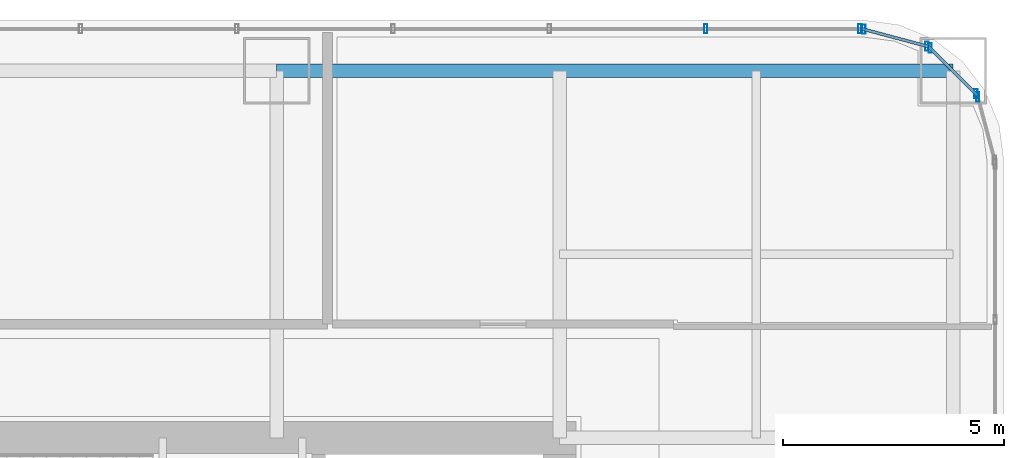
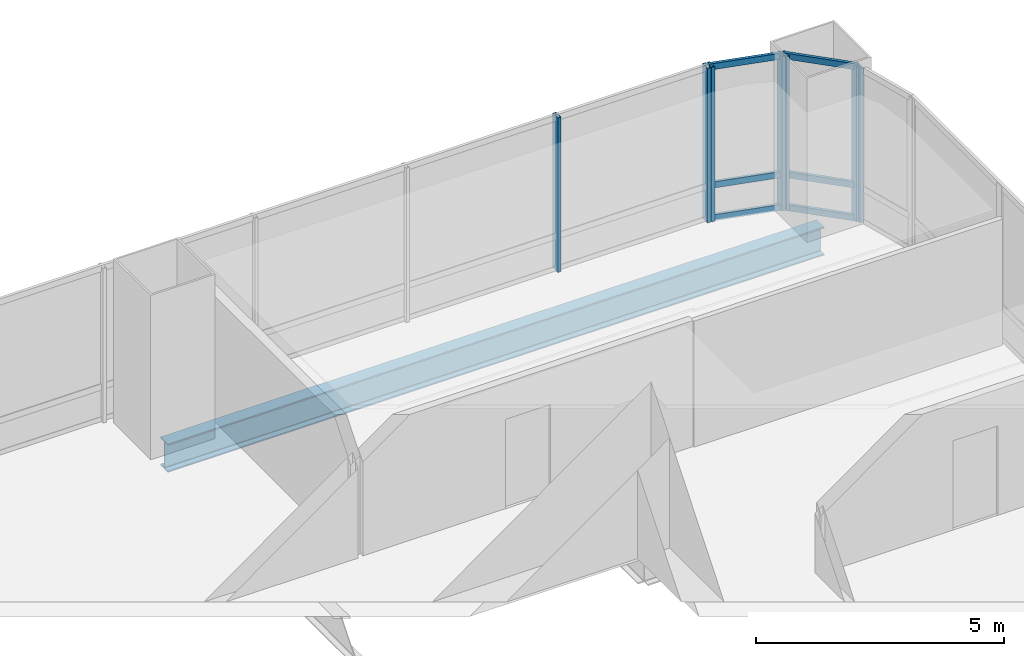
# One storey, part 25 of 35: 13 members, 1 beam, 4 elements without a shape of their own.
"""IFC4 building model written with IfcOpenShell, lengths in metres."""

import ifcopenshell
import ifcopenshell.guid

model = None  # the IFC model being written
_history = None  # IfcOwnerHistory: only IFC2X3 demands one
_inside = {}  # id of a spatial element -> (the spatial element, [elements in it])
_under = {}  # id of a project, library or spatial element -> (it, [spatial elements below it])
_declared = {}  # id of a project -> (the project, [libraries it declares])
_typed = {}  # id of a type object -> (the type object, [elements of that type])
_made_of = {}  # id of a material, layer set ... -> (it, [elements and type objects made of it])


def new_model(schema):
    """Start an empty IFC model of exactly this schema.

    Asked for "IFC4X3", IfcOpenShell would pick the latest addendum, in which some entities
    have other attributes; the version numbers below select the first issue.
    IFC2X3 requires an IfcOwnerHistory on every rooted entity: one is made here for all.
    """
    global model, _history
    if schema == "IFC4X3":
        model = ifcopenshell.file(schema_version=(4, 3, 0, 0))
    else:
        model = ifcopenshell.file(schema=schema)
    _inside.clear()
    _under.clear()
    _declared.clear()
    _typed.clear()
    _made_of.clear()
    _history = None
    if model.schema == "IFC2X3":
        org = make("IfcOrganization", Name="unknown")
        user = make(
            "IfcPersonAndOrganization",
            ThePerson=make("IfcPerson", FamilyName="unknown"),
            TheOrganization=org,
        )
        app = make(
            "IfcApplication",
            ApplicationDeveloper=org,
            Version="unknown",
            ApplicationFullName="unknown",
            ApplicationIdentifier="unknown",
        )
        _history = make(
            "IfcOwnerHistory",
            OwningUser=user,
            OwningApplication=app,
            ChangeAction="ADDED",
            CreationDate=0,
        )
    return model


def make(cls, **values):
    """One entity of the class cls with the attributes given. An attribute that is None is left unset."""
    return model.create_entity(
        cls, **{name: value for name, value in values.items() if value is not None}
    )


def rooted(cls, **values):
    """An entity with a GlobalId (a new one), such as an element, a storey or a relation."""
    return make(cls, GlobalId=ifcopenshell.guid.new(), OwnerHistory=_history, **values)


def si_unit(unit_type, name, prefix=None):
    """IfcSIUnit, for example si_unit("LENGTHUNIT", "METRE", prefix="MILLI")."""
    return make("IfcSIUnit", UnitType=unit_type, Prefix=prefix, Name=name)


def assignment(units):
    """IfcUnitAssignment: the units of a project."""
    return None if units is None else make("IfcUnitAssignment", Units=units)


def point(xyz):
    """IfcCartesianPoint."""
    return None if xyz is None else make("IfcCartesianPoint", Coordinates=xyz)


def direction(xyz):
    """IfcDirection."""
    return None if xyz is None else make("IfcDirection", DirectionRatios=xyz)


def frame(location, z_axis=None, x_axis=None):
    """IfcAxis2Placement3D, a coordinate frame: its origin and axes. An axis left out is left unset."""
    return make(
        "IfcAxis2Placement3D",
        Location=point(location),
        Axis=direction(z_axis),
        RefDirection=direction(x_axis),
    )


def frame_2d(location, x_axis=None):
    """IfcAxis2Placement2D, a coordinate frame in the plane: its origin and x axis."""
    return make(
        "IfcAxis2Placement2D", Location=point(location), RefDirection=direction(x_axis)
    )


def origin():
    """The frame at (0, 0, 0) with its axes left unset."""
    return frame((0.0, 0.0, 0.0))


def origin_2d():
    """The frame at (0, 0) in the plane with its x axis left unset."""
    return frame_2d((0.0, 0.0))


def place(relative_to, where):
    """IfcLocalPlacement: puts the frame where relative to a parent placement (None: the world)."""
    return make(
        "IfcLocalPlacement", PlacementRelTo=relative_to, RelativePlacement=where
    )


def context(
    kind, dimensions, precision=None, world=None, true_north=None, identifier=None
):
    """IfcGeometricRepresentationContext, for example the 3D "Model" context."""
    return make(
        "IfcGeometricRepresentationContext",
        ContextIdentifier=identifier,
        ContextType=kind,
        CoordinateSpaceDimension=dimensions,
        Precision=precision,
        WorldCoordinateSystem=world,
        TrueNorth=true_north,
    )


def subcontext(parent, identifier, kind, view, scale=None):
    """IfcGeometricRepresentationSubContext, for example "Body" below "Model"."""
    return make(
        "IfcGeometricRepresentationSubContext",
        ContextIdentifier=identifier,
        ContextType=kind,
        ParentContext=parent,
        TargetScale=scale,
        TargetView=view,
    )


def project(units=None, contexts=None):
    """IfcProject with its units and contexts."""
    return rooted(
        "IfcProject",
        Name="project",
        RepresentationContexts=contexts,
        UnitsInContext=assignment(units),
    )


def spatial(cls, under=None, at=None, **own):
    """A site, building, storey or space (cls), placed at a placement, below another one or the project."""
    s = rooted(cls, ObjectPlacement=at, **own)
    if under is not None:
        _under.setdefault(under.id(), (under, []))[1].append(s)
    return s


def profile(cls, at=None, kind="AREA", **sizes):
    """A parametric profile (cls). Its sizes go by their IFC names, for example OverallWidth=200.0."""
    return make(cls, ProfileType=kind, Position=at, **sizes)


def hollow_rectangle(**sizes):
    """IfcRectangleHollowProfileDef."""
    return profile("IfcRectangleHollowProfileDef", **sizes)


def i_section(**sizes):
    """IfcIShapeProfileDef."""
    return profile("IfcIShapeProfileDef", **sizes)


def extrude(swept, where, along, depth):
    """IfcExtrudedAreaSolid: the profile swept, set in the frame where, extruded along a direction by depth."""
    return make(
        "IfcExtrudedAreaSolid",
        SweptArea=swept,
        Position=where,
        ExtrudedDirection=direction(along),
        Depth=depth,
    )


def shape(context_of_items, identifier, shape_type, items):
    """IfcShapeRepresentation: the items that make up one representation, for example the "Body"."""
    return make(
        "IfcShapeRepresentation",
        ContextOfItems=context_of_items,
        RepresentationIdentifier=identifier,
        RepresentationType=shape_type,
        Items=items,
    )


def material(Name=None, Category=None):
    """IfcMaterial."""
    return make("IfcMaterial", Name=Name, Category=Category)


def material_profile(
    of_material, cross_section, Name=None, Category=None, Priority=None
):
    """IfcMaterialProfile: a cross section and its material."""
    return make(
        "IfcMaterialProfile",
        Name=Name,
        Material=of_material,
        Profile=cross_section,
        Priority=Priority,
        Category=Category,
    )


def profile_set(profiles, Name=None, composite=None):
    """IfcMaterialProfileSet."""
    return make(
        "IfcMaterialProfileSet",
        Name=Name,
        MaterialProfiles=profiles,
        CompositeProfile=composite,
    )


def made_of(thing, what):
    """Note that an element or type object is made of a material, layer set ...; save() writes the relation."""
    if what is not None:
        _made_of.setdefault(what.id(), (what, []))[1].append(thing)
    return thing


def type_object(cls, material=None, **own):
    """A type object (cls), such as IfcWallType, which elements share."""
    return made_of(rooted(cls, **own), material)


def element(
    cls,
    number,
    at=None,
    inside=None,
    cuts=None,
    type_object=None,
    material=None,
    context=None,
    identifier="Body",
    shape_type=None,
    held_by="IfcProductDefinitionShape",
    body=None,
    shapes=None,
    **own,
):
    """One element of the class cls, such as IfcWall. Its Tag is "e" and its number.

    at: its placement. inside: the storey or other place that contains it. cuts: it is an
    opening in that element (IfcRelVoidsElement). A single representation is given by context,
    identifier, shape_type and body (its items); several are given by shapes. held_by: the class
    of the entity that holds the representations. save() writes the other relations.
    """
    e = rooted(cls, Tag="e%d" % number, ObjectPlacement=at, **own)
    if body is not None:
        shapes = [shape(context, identifier, shape_type, body)]
    if shapes is not None:
        e.Representation = make(held_by, Representations=shapes)
    if inside is not None:
        _inside.setdefault(inside.id(), (inside, []))[1].append(e)
    if cuts is not None:
        rooted(
            "IfcRelVoidsElement", RelatingBuildingElement=cuts, RelatedOpeningElement=e
        )
    if type_object is not None:
        _typed.setdefault(type_object.id(), (type_object, []))[1].append(e)
    return made_of(e, material)


def aggregate(whole, parts):
    """IfcRelAggregates: a whole, such as a stair, and the parts it consists of."""
    return rooted("IfcRelAggregates", RelatingObject=whole, RelatedObjects=parts)


def save(model, path):
    """Write the relations noted so far, then the file.

    IfcRelAggregates (storeys below a building ...), IfcRelContainedInSpatialStructure (elements
    in a storey), IfcRelDefinesByType, IfcRelAssociatesMaterial and IfcRelDeclares: one each for
    every whole, place, type object, material and project.
    """
    for whole, parts in _under.values():
        aggregate(whole, parts)
    for where, things in _inside.values():
        rooted(
            "IfcRelContainedInSpatialStructure",
            RelatedElements=things,
            RelatingStructure=where,
        )
    for kind, things in _typed.values():
        rooted("IfcRelDefinesByType", RelatedObjects=things, RelatingType=kind)
    for what, things in _made_of.values():
        rooted("IfcRelAssociatesMaterial", RelatedObjects=things, RelatingMaterial=what)
    for by, libraries in _declared.values():
        rooted("IfcRelDeclares", RelatingContext=by, RelatedDefinitions=libraries)
    model.write(path)


model = new_model("IFC4")

# Units and contexts
model_context = context("Model", 3, precision=1e-05, world=origin(), true_north=direction((0.0, 1.0)))
body_context = subcontext(model_context, "Body", "Model", "MODEL_VIEW")
ifc_project = project(units=[si_unit("LENGTHUNIT", "METRE"), si_unit("AREAUNIT", "SQUARE_METRE"), si_unit("VOLUMEUNIT", "CUBIC_METRE"), si_unit("PLANEANGLEUNIT", "RADIAN"), si_unit("MASSUNIT", "GRAM", prefix="KILO")], contexts=[model_context])

# Site, building, storey
site_placement = place(None, origin())
site = spatial("IfcSite", under=ifc_project, at=site_placement, CompositionType="ELEMENT")
building_placement = place(site_placement, origin())
building = spatial("IfcBuilding", under=site, at=building_placement, Name="Punatoya Terracotta Tower", CompositionType="ELEMENT")
storey_placement = place(building_placement, frame((0.0, 0.0, 52.5)))
storey = spatial("IfcBuildingStorey", under=building, at=storey_placement, Name="L11", CompositionType="ELEMENT", Elevation=52.5)

# Beam
ifc_material_1 = material(Name="Steel S355", Category="steel")
ifc_material_profile_1 = material_profile(ifc_material_1, i_section(OverallWidth=0.300048828125, OverallDepth=0.699951171875, WebThickness=0.01708984375, FlangeThickness=0.031982421875, FilletRadius=0.01806640625, at=origin_2d()))
ifc_profile_set_1 = profile_set([ifc_material_profile_1], Name="Steel S355")
beam_type = type_object("IfcBeamType", Name="BM-PRI-700", PredefinedType="BEAM", material=ifc_profile_set_1)
beam_placement = place(storey_placement, frame((3.800048828125, 17.5, -0.590087890625), z_axis=(1.0, 0.0, 0.0), x_axis=(0.0, 1.0, 0.0)))
element("IfcBeam", 1, at=beam_placement, inside=storey, type_object=beam_type, Name="BM-L11-RG-N3", PredefinedType="BEAM", context=body_context, shape_type="SweptSolid", body=[
    extrude(i_section(OverallWidth=0.300048828125, OverallDepth=0.699951171875, WebThickness=0.01708984375, FlangeThickness=0.031982421875, FilletRadius=0.01806640625, at=origin_2d()), origin(), (0.0, 0.0, 1.0), 15.300048828125),
])

# Curtain wall, member
ifc_material_2 = material(Name="Aluminium 6063-T6 + Double Low-E Glass", Category="aluminium")
curtain_wall_type = type_object("IfcCurtainWallType", Name="CW-M1", PredefinedType="NOTDEFINED", material=ifc_material_2)
curtain_wall_1_placement = place(storey_placement, origin())
curtain_wall_1 = element("IfcCurtainWall", 2, at=curtain_wall_1_placement, inside=storey, type_object=curtain_wall_type, Name="L11 Curtain Wall CW-L11-CRN06", PredefinedType="NOTDEFINED")
ifc_material_3 = material(Name="Aluminium 6063-T6", Category="aluminium")
ifc_material_profile_2 = material_profile(ifc_material_3, hollow_rectangle(XDim=0.074951171875, YDim=0.2099609375, WallThickness=0.00439453125, at=origin_2d()))
ifc_profile_set_2 = profile_set([ifc_material_profile_2], Name="Aluminium 6063-T6")
member_type_1 = type_object("IfcMemberType", Name="CW-MUL-M1", PredefinedType="MULLION", material=ifc_profile_set_2)
member_1_placement = place(storey_placement, frame((19.658203125, 16.905517578125, 0.0), z_axis=(0.0, 0.0, 1.0), x_axis=(1.0, 0.0, 0.0)))
member_1 = element("IfcMember", 3, at=member_1_placement, type_object=member_type_1, Name="CW-L11-CRN06 Mullion 01", PredefinedType="MULLION", context=body_context, shape_type="SweptSolid", body=[
    extrude(hollow_rectangle(XDim=0.074951171875, YDim=0.2099609375, WallThickness=0.00439453125, at=origin_2d()), origin(), (0.0, 0.0, 1.0), 3.81005859375),
])
aggregate(curtain_wall_1, [member_1])

# Curtain wall, members
curtain_wall_2_placement = place(storey_placement, origin())
curtain_wall_2 = element("IfcCurtainWall", 4, at=curtain_wall_2_placement, inside=storey, type_object=curtain_wall_type, Name="L11 Curtain Wall CW-L11-CRN07", PredefinedType="NOTDEFINED")
member_2_placement = place(storey_placement, frame((19.61474609375, 16.98095703125, 0.0), z_axis=(0.0, 0.0, 1.0), x_axis=(1.0, 0.0, 0.0)))
member_2 = element("IfcMember", 5, at=member_2_placement, type_object=member_type_1, Name="CW-L11-CRN07 Mullion 00", PredefinedType="MULLION", context=body_context, shape_type="SweptSolid", body=[
    extrude(hollow_rectangle(XDim=0.074951171875, YDim=0.2099609375, WallThickness=0.00439453125, at=origin_2d()), origin(), (0.0, 0.0, 1.0), 3.81005859375),
])
member_3_placement = place(storey_placement, frame((18.580810546875, 18.014892578125, 0.0), z_axis=(0.0, 0.0, 1.0), x_axis=(1.0, 0.0, 0.0)))
member_3 = element("IfcMember", 6, at=member_3_placement, type_object=member_type_1, Name="CW-L11-CRN07 Mullion 01", PredefinedType="MULLION", context=body_context, shape_type="SweptSolid", body=[
    extrude(hollow_rectangle(XDim=0.074951171875, YDim=0.2099609375, WallThickness=0.00439453125, at=origin_2d()), origin(), (0.0, 0.0, 1.0), 3.81005859375),
])

curtain_wall_3_placement = place(storey_placement, origin())
curtain_wall_3 = element("IfcCurtainWall", 7, at=curtain_wall_3_placement, inside=storey, type_object=curtain_wall_type, Name="L11 Curtain Wall CW-L11-CRN08", PredefinedType="NOTDEFINED")
member_4_placement = place(storey_placement, frame((18.505615234375, 18.05810546875, 0.0), z_axis=(0.0, 0.0, 1.0), x_axis=(1.0, 0.0, 0.0)))
member_4 = element("IfcMember", 8, at=member_4_placement, type_object=member_type_1, Name="CW-L11-CRN08 Mullion 00", PredefinedType="MULLION", context=body_context, shape_type="SweptSolid", body=[
    extrude(hollow_rectangle(XDim=0.074951171875, YDim=0.2099609375, WallThickness=0.00439453125, at=origin_2d()), origin(), (0.0, 0.0, 1.0), 3.81005859375),
])
member_5_placement = place(storey_placement, frame((17.080322265625, 18.4384765625, 0.0), z_axis=(0.0, 0.0, 1.0), x_axis=(1.0, 0.0, 0.0)))
member_5 = element("IfcMember", 9, at=member_5_placement, type_object=member_type_1, Name="CW-L11-CRN08 Mullion 01", PredefinedType="MULLION", context=body_context, shape_type="SweptSolid", body=[
    extrude(hollow_rectangle(XDim=0.074951171875, YDim=0.2099609375, WallThickness=0.00439453125, at=origin_2d()), origin(), (0.0, 0.0, 1.0), 3.81005859375),
])

curtain_wall_4_placement = place(storey_placement, origin())
curtain_wall_4 = element("IfcCurtainWall", 10, at=curtain_wall_4_placement, inside=storey, type_object=curtain_wall_type, Name="L11 Curtain Wall CW-L11-N09-1", PredefinedType="NOTDEFINED")
member_6_placement = place(storey_placement, frame((16.991943359375, 18.449951171875, 0.0), z_axis=(0.0, 0.0, 1.0), x_axis=(1.0, 0.0, 0.0)))
member_6 = element("IfcMember", 11, at=member_6_placement, type_object=member_type_1, Name="CW-L11-N09-1 Mullion 00", PredefinedType="MULLION", context=body_context, shape_type="SweptSolid", body=[
    extrude(hollow_rectangle(XDim=0.074951171875, YDim=0.2099609375, WallThickness=0.00439453125, at=origin_2d()), origin(), (0.0, 0.0, 1.0), 3.81005859375),
])
member_7_placement = place(storey_placement, frame((13.5029296875, 18.449951171875, 0.0), z_axis=(0.0, 0.0, 1.0), x_axis=(1.0, 0.0, 0.0)))
member_7 = element("IfcMember", 12, at=member_7_placement, type_object=member_type_1, Name="CW-L11-N09-1 Mullion 01", PredefinedType="MULLION", context=body_context, shape_type="SweptSolid", body=[
    extrude(hollow_rectangle(XDim=0.074951171875, YDim=0.2099609375, WallThickness=0.00439453125, at=origin_2d()), origin(), (0.0, 0.0, 1.0), 3.81005859375),
])
aggregate(curtain_wall_4, [member_6, member_7])

# Member
ifc_material_profile_3 = material_profile(ifc_material_3, hollow_rectangle(XDim=0.068115234375, YDim=0.14990234375, WallThickness=0.00390625, at=origin_2d()))
ifc_profile_set_3 = profile_set([ifc_material_profile_3], Name="Aluminium 6063-T6")
member_type_2 = type_object("IfcMemberType", Name="CW-TRN-TYP", PredefinedType="USERDEFINED", material=ifc_profile_set_3)
member_8_placement = place(storey_placement, frame((19.646484375, 16.94921875, 0.0400390625), z_axis=(-0.707106781187, 0.707106781187, 0.0), x_axis=(-0.707106781187, -0.707106781187, 0.0)))
member_8 = element("IfcMember", 13, at=member_8_placement, type_object=member_type_2, Name="CW-L11-CRN07 Transom 1", ObjectType="TRANSOM", PredefinedType="USERDEFINED", context=body_context, shape_type="SweptSolid", body=[
    extrude(hollow_rectangle(XDim=0.068115234375, YDim=0.14990234375, WallThickness=0.00390625, at=origin_2d()), origin(), (0.0, 0.0, 1.0), 1.552001953125),
])

member_9_placement = place(storey_placement, frame((19.646484375, 16.94921875, 0.85009765625), z_axis=(-0.707106781187, 0.707106781187, 0.0), x_axis=(-0.707106781187, -0.707106781187, 0.0)))
member_9 = element("IfcMember", 14, at=member_9_placement, type_object=member_type_2, Name="CW-L11-CRN07 Transom 2", ObjectType="TRANSOM", PredefinedType="USERDEFINED", context=body_context, shape_type="SweptSolid", body=[
    extrude(hollow_rectangle(XDim=0.068115234375, YDim=0.14990234375, WallThickness=0.00390625, at=origin_2d()), origin(), (0.0, 0.0, 1.0), 1.552001953125),
])

member_10_placement = place(storey_placement, frame((19.646484375, 16.94921875, 3.77001953125), z_axis=(-0.707106781187, 0.707106781187, 0.0), x_axis=(-0.707106781187, -0.707106781187, 0.0)))
member_10 = element("IfcMember", 15, at=member_10_placement, type_object=member_type_2, Name="CW-L11-CRN07 Transom 3", ObjectType="TRANSOM", PredefinedType="USERDEFINED", context=body_context, shape_type="SweptSolid", body=[
    extrude(hollow_rectangle(XDim=0.068115234375, YDim=0.14990234375, WallThickness=0.00390625, at=origin_2d()), origin(), (0.0, 0.0, 1.0), 1.552001953125),
])

aggregate(curtain_wall_2, [member_2, member_3, member_8, member_9, member_10])

member_11_placement = place(storey_placement, frame((18.549072265625, 18.046630859375, 0.0400390625), z_axis=(-0.966224582397, 0.257701486942, 0.0), x_axis=(-0.257701486942, -0.966224582397, 0.0)))
member_11 = element("IfcMember", 16, at=member_11_placement, type_object=member_type_2, Name="CW-L11-CRN08 Transom 1", ObjectType="TRANSOM", PredefinedType="USERDEFINED", context=body_context, shape_type="SweptSolid", body=[
    extrude(hollow_rectangle(XDim=0.068115234375, YDim=0.14990234375, WallThickness=0.00390625, at=origin_2d()), origin(), (0.0, 0.0, 1.0), 1.565185546875),
])

member_12_placement = place(storey_placement, frame((18.549072265625, 18.046630859375, 0.85009765625), z_axis=(-0.966224582397, 0.257701486942, 0.0), x_axis=(-0.257701486942, -0.966224582397, 0.0)))
member_12 = element("IfcMember", 17, at=member_12_placement, type_object=member_type_2, Name="CW-L11-CRN08 Transom 2", ObjectType="TRANSOM", PredefinedType="USERDEFINED", context=body_context, shape_type="SweptSolid", body=[
    extrude(hollow_rectangle(XDim=0.068115234375, YDim=0.14990234375, WallThickness=0.00390625, at=origin_2d()), origin(), (0.0, 0.0, 1.0), 1.565185546875),
])

member_13_placement = place(storey_placement, frame((18.549072265625, 18.046630859375, 3.77001953125), z_axis=(-0.966224582397, 0.257701486942, 0.0), x_axis=(-0.257701486942, -0.966224582397, 0.0)))
member_13 = element("IfcMember", 18, at=member_13_placement, type_object=member_type_2, Name="CW-L11-CRN08 Transom 3", ObjectType="TRANSOM", PredefinedType="USERDEFINED", context=body_context, shape_type="SweptSolid", body=[
    extrude(hollow_rectangle(XDim=0.068115234375, YDim=0.14990234375, WallThickness=0.00390625, at=origin_2d()), origin(), (0.0, 0.0, 1.0), 1.565185546875),
])

aggregate(curtain_wall_3, [member_4, member_5, member_11, member_12, member_13])

save(model, "model.ifc")
